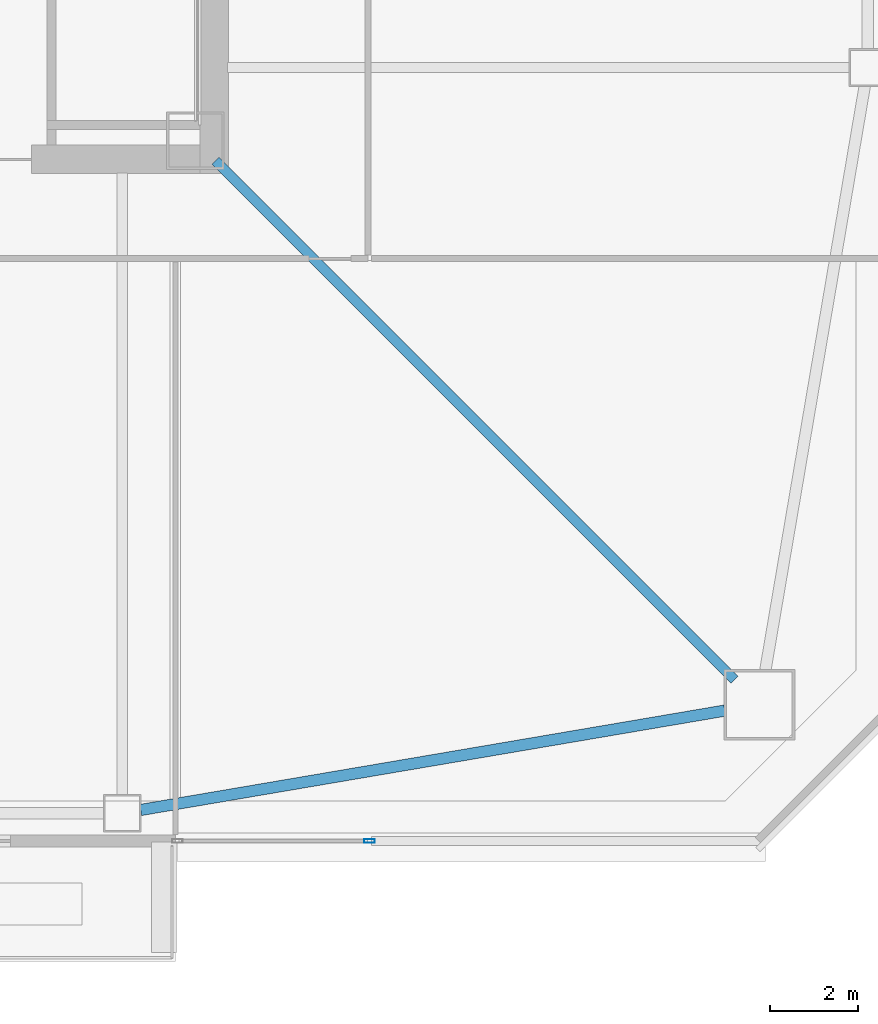
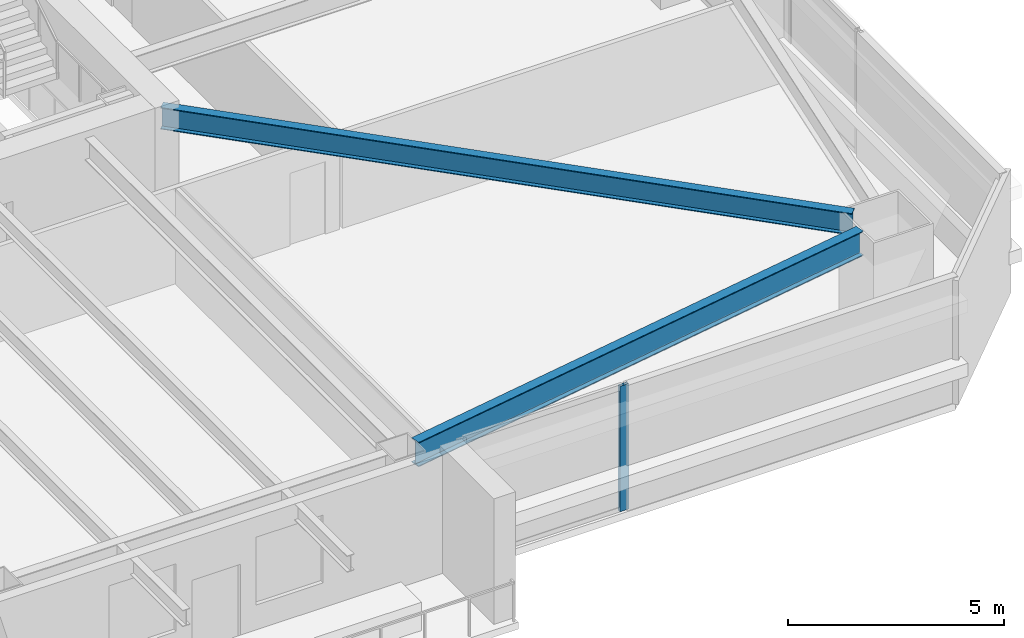
# One storey, part 9 of 48: 2 beams, 1 member, 1 element without a shape of its own.
"""IFC4 building model written with IfcOpenShell, lengths in metres."""

from ifc_helpers import new_model, si_unit, direction, frame, origin, origin_2d, place, context, subcontext, project, spatial, hollow_rectangle, i_section, extrude, material, material_profile, profile_set, type_object, element, aggregate, save


model = new_model("IFC4")

# Units and contexts
model_context = context("Model", 3, precision=1e-05, world=origin(), true_north=direction((0.0, 1.0)))
body_context = subcontext(model_context, "Body", "Model", "MODEL_VIEW")
ifc_project = project(units=[si_unit("LENGTHUNIT", "METRE"), si_unit("AREAUNIT", "SQUARE_METRE"), si_unit("VOLUMEUNIT", "CUBIC_METRE"), si_unit("PLANEANGLEUNIT", "RADIAN"), si_unit("MASSUNIT", "GRAM", prefix="KILO")], contexts=[model_context])

# Site, building, storey
site_placement = place(None, origin())
site = spatial("IfcSite", under=ifc_project, at=site_placement, CompositionType="ELEMENT")
building_placement = place(site_placement, origin())
building = spatial("IfcBuilding", under=site, at=building_placement, Name="Tashvorn Skyway Center", CompositionType="ELEMENT")
storey_placement = place(building_placement, frame((0.0, 0.0, 56.550048828125)))
storey = spatial("IfcBuildingStorey", under=building, at=storey_placement, Name="L14", CompositionType="ELEMENT", Elevation=56.550048828125)

# Beams
ifc_material_1 = material(Name="Steel ASTM A992 Grade 50", Category="steel")
ifc_material_profile_1 = material_profile(ifc_material_1, i_section(OverallWidth=0.22998046875, OverallDepth=0.616943359375, WebThickness=0.01318359375, FlangeThickness=0.022216796875, at=origin_2d()), Name="W24X94")
ifc_profile_set_1 = profile_set([ifc_material_profile_1], Name="Steel ASTM A992 Grade 50")
beam_type_1 = type_object("IfcBeamType", Name="BM-BEAM-W24X94", PredefinedType="BEAM", material=ifc_profile_set_1)
beam_1_placement = place(storey_placement, frame((61.23779296875, 12.76220703125, 3.04150390625), z_axis=(-0.707106781187, 0.707106781187, 0.0), x_axis=(-0.707106781187, -0.707106781187, 0.0)))
element("IfcBeam", 1, at=beam_1_placement, inside=storey, type_object=beam_type_1, Name="Tower 1 L14 Primary Floor Girder MC-SE", PredefinedType="BEAM", context=body_context, shape_type="SweptSolid", body=[
    extrude(i_section(OverallWidth=0.22998046875, OverallDepth=0.616943359375, WebThickness=0.01318359375, FlangeThickness=0.022216796875, at=origin_2d()), origin(), (0.0, 0.0, 1.0), 16.591064453125),
])
ifc_material_profile_2 = material_profile(ifc_material_1, i_section(OverallWidth=0.256103515625, OverallDepth=0.693115234375, WebThickness=0.014404296875, FlangeThickness=0.023681640625, at=origin_2d()), Name="W27X114")
ifc_profile_set_2 = profile_set([ifc_material_profile_2], Name="Steel ASTM A992 Grade 50")
beam_type_2 = type_object("IfcBeamType", Name="BM-SPANDREL-W27X114", PredefinedType="SPANDREL", material=ifc_profile_set_2)
beam_2_placement = place(storey_placement, frame((47.81396484375, 9.820556640625, 3.00341796875), z_axis=(0.985835025551, 0.16771792509, 0.0), x_axis=(-0.16771792509, 0.985835025551, 0.0)))
element("IfcBeam", 2, at=beam_2_placement, inside=storey, type_object=beam_type_2, Name="Tower 1 L14 Spandrel Beam 03", PredefinedType="SPANDREL", context=body_context, shape_type="SweptSolid", body=[
    extrude(i_section(OverallWidth=0.256103515625, OverallDepth=0.693115234375, WebThickness=0.014404296875, FlangeThickness=0.023681640625, at=origin_2d()), origin(), (0.0, 0.0, 1.0), 13.39208984375),
])

# Curtain wall, member
ifc_material_2 = material(Name="Thermally broken bronze-anodized aluminium 6063-T6", Category="aluminium")
curtain_wall_type = type_object("IfcCurtainWallType", Name="CW-CW-Z1", PredefinedType="NOTDEFINED", material=ifc_material_2)
curtain_wall_placement = place(storey_placement, origin())
curtain_wall = element("IfcCurtainWall", 3, at=curtain_wall_placement, inside=storey, type_object=curtain_wall_type, Name="Tower 1 L14 South Curtain Wall L Glazing Group 1", PredefinedType="NOTDEFINED")
ifc_material_profile_3 = material_profile(ifc_material_2, hollow_rectangle(XDim=0.0849609375, YDim=0.239990234375, WallThickness=0.0048828125, at=origin_2d()), Name="ALU-MULL-85x240")
ifc_profile_set_3 = profile_set([ifc_material_profile_3], Name="Thermally broken bronze-anodized aluminium 6063-T6")
member_type = type_object("IfcMemberType", Name="CWM-CW-Z1", PredefinedType="MULLION", material=ifc_profile_set_3)
member_placement = place(storey_placement, frame((52.984130859375, 9.1201171875, 0.0), z_axis=(0.0, 0.0, 1.0), x_axis=(0.0, -1.0, 0.0)))
member = element("IfcMember", 4, at=member_placement, type_object=member_type, Name="CW-Z1 mullion 1", PredefinedType="MULLION", context=body_context, shape_type="SweptSolid", body=[
    extrude(hollow_rectangle(XDim=0.0849609375, YDim=0.239990234375, WallThickness=0.0048828125, at=origin_2d()), origin(), (0.0, 0.0, 1.0), 3.550048828125),
])
aggregate(curtain_wall, [member])

save(model, "model.ifc")
